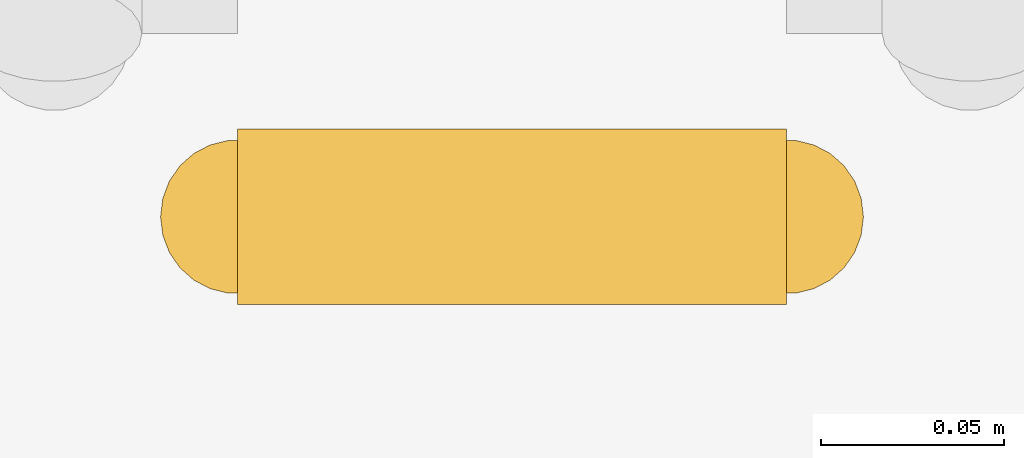
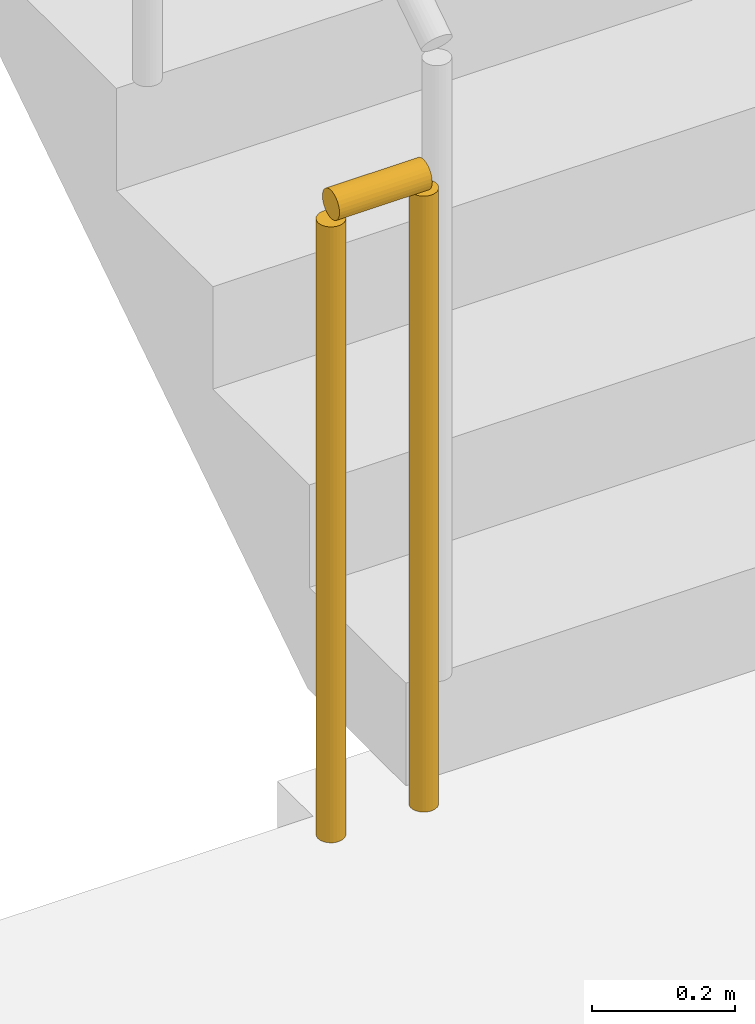
# One storey, part 16 of 19: 1 railing.
"""IFC4 building model written with IfcOpenShell, lengths in metres."""

from ifc_helpers import new_model, si_unit, direction, frame, origin, origin_2d, place, context, subcontext, project, spatial, circle, extrude, material, type_object, element, save


model = new_model("IFC4")

# Units and contexts
model_context = context("Model", 3, precision=1e-05, world=origin(), true_north=direction((0.0, 1.0)))
body_context = subcontext(model_context, "Body", "Model", "MODEL_VIEW")
ifc_project = project(units=[si_unit("LENGTHUNIT", "METRE"), si_unit("AREAUNIT", "SQUARE_METRE"), si_unit("VOLUMEUNIT", "CUBIC_METRE"), si_unit("PLANEANGLEUNIT", "RADIAN"), si_unit("MASSUNIT", "GRAM", prefix="KILO")], contexts=[model_context])

# Site, building, storey
site_placement = place(None, origin())
site = spatial("IfcSite", under=ifc_project, at=site_placement, CompositionType="ELEMENT")
building_placement = place(site_placement, origin())
building = spatial("IfcBuilding", under=site, at=building_placement, Name="Saffron Iwan Residences", CompositionType="ELEMENT")
storey_placement = place(building_placement, frame((0.0, 0.0, 239.5)))
storey = spatial("IfcBuildingStorey", under=building, at=storey_placement, Name="L64", CompositionType="ELEMENT", Elevation=239.5)

# Railing
ifc_material = material(Name="Steel S355", Category="steel")
railing_type = type_object("IfcRailingType", Name="Stair guard 1100", PredefinedType="GUARDRAIL", material=ifc_material)
railing_placement = place(storey_placement, frame((69.699951171875, 67.800048828125, 0.0)))
element("IfcRailing", 1, at=railing_placement, inside=storey, type_object=railing_type, Name="L64 ST-E stair guard 2", PredefinedType="GUARDRAIL", context=body_context, shape_type="SweptSolid", body=[
    extrude(circle(Radius=0.02392578125, at=origin_2d()), frame((0.0, 0.0, 1.076171875), z_axis=(-1.0, 0.0, 0.0), x_axis=(0.0, -1.0, 0.0)), (0.0, 0.0, 1.0), 0.14990234375),
    extrude(circle(Radius=0.02099609375, at=origin_2d()), origin(), (0.0, 0.0, 1.0), 1.052001953125),
    extrude(circle(Radius=0.02099609375, at=origin_2d()), frame((-0.14990234375, 0.0, 0.0)), (0.0, 0.0, 1.0), 1.052001953125),
])

save(model, "model.ifc")
